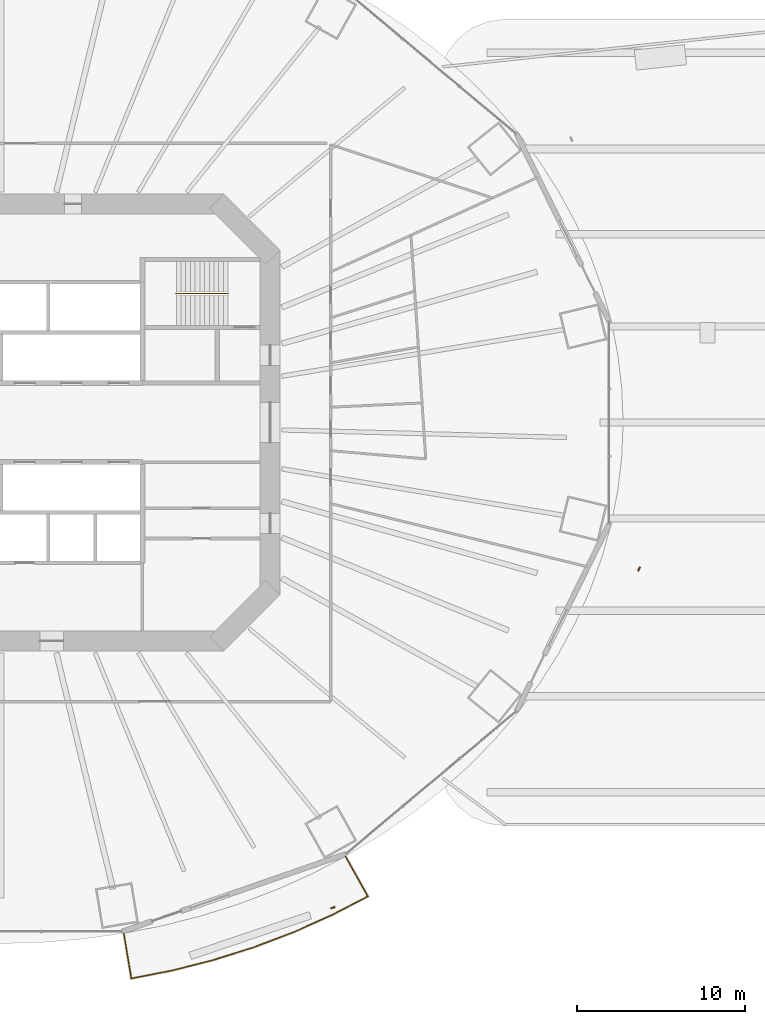
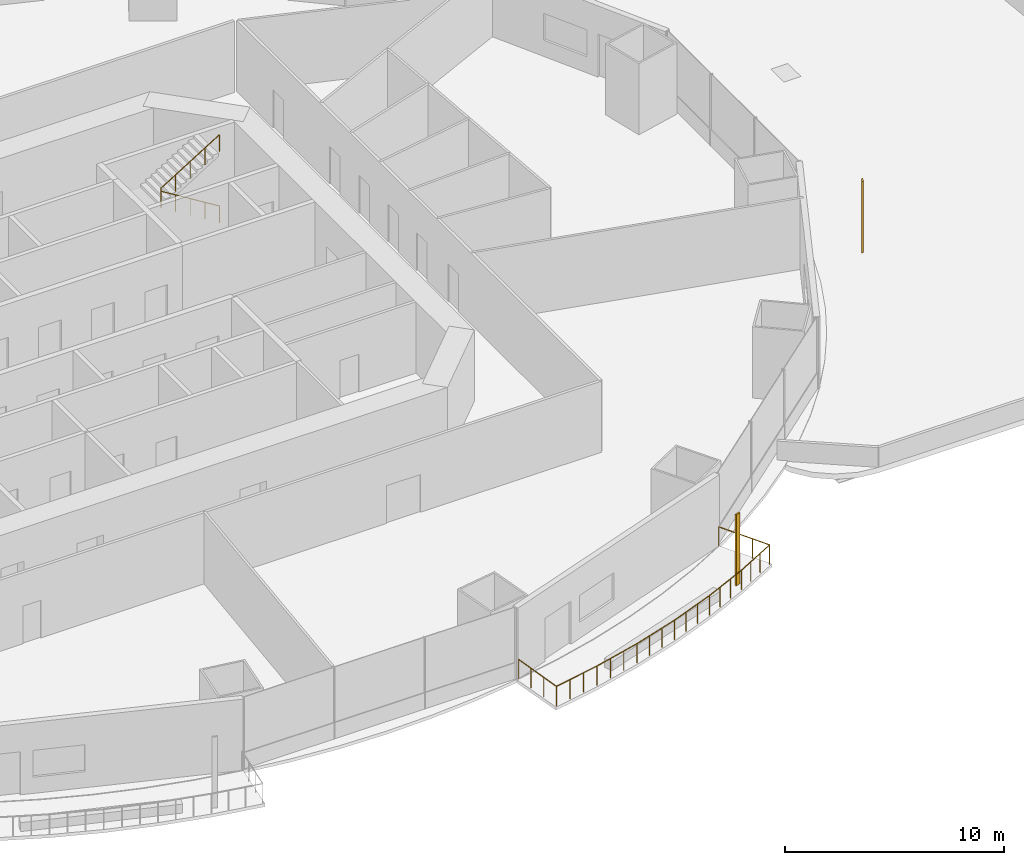
# One storey, part 25 of 27: 2 railings, 2 shading devices.
"""IFC4 building model written with IfcOpenShell, lengths in metres."""

from ifc_helpers import new_model, si_unit, direction, frame, origin, origin_2d, place, context, subcontext, project, spatial, rectangle, circle, extrude, material, material_profile, profile_set, type_object, element, save


model = new_model("IFC4")

# Units and contexts
model_context = context("Model", 3, precision=1e-05, world=origin(), true_north=direction((0.0, 1.0)))
body_context = subcontext(model_context, "Body", "Model", "MODEL_VIEW")
ifc_project = project(units=[si_unit("LENGTHUNIT", "METRE"), si_unit("AREAUNIT", "SQUARE_METRE"), si_unit("VOLUMEUNIT", "CUBIC_METRE"), si_unit("PLANEANGLEUNIT", "RADIAN"), si_unit("MASSUNIT", "GRAM", prefix="KILO")], contexts=[model_context])

# Site, building, storey
site_placement = place(None, origin())
site = spatial("IfcSite", under=ifc_project, at=site_placement, CompositionType="ELEMENT")
building_placement = place(site_placement, origin())
building = spatial("IfcBuilding", under=site, at=building_placement, Name="Marenthal Gate Tower", CompositionType="ELEMENT")
storey_placement = place(building_placement, frame((0.0, 0.0, 33.0)))
storey = spatial("IfcBuildingStorey", under=building, at=storey_placement, Name="L04", CompositionType="ELEMENT", Elevation=33.0)

# Railings
ifc_material_1 = material(Name="Stainless steel", Category="steel")
railing_type_1 = type_object("IfcRailingType", Name="Balcony guard 1100", PredefinedType="GUARDRAIL", material=ifc_material_1)
railing_1_placement = place(storey_placement, frame((20.486328125, -25.814697265625, 0.0)))
element("IfcRailing", 1, at=railing_1_placement, inside=storey, type_object=railing_type_1, Name="Balcony guard L04 bay 13", PredefinedType="GUARDRAIL", context=body_context, shape_type="SweptSolid", body=[
    extrude(circle(Radius=0.02392578125, at=origin_2d()), frame((0.0, 0.0, 1.076171875), z_axis=(0.488673415611, -0.872342626214, -0.014718538138), x_axis=(0.872437131701, 0.488726356184, 0.0)), (0.0, 0.0, 1.0), 2.72021484375),
    extrude(circle(Radius=0.02392578125, at=origin_2d()), frame((1.329345703125, -2.373046875, 1.0361328125), z_axis=(-0.887343289023, -0.461109409387, 0.0), x_axis=(0.461109409387, -0.887343289023, 0.0)), (0.0, 0.0, 1.0), 2.401123046875),
    extrude(circle(Radius=0.02392578125, at=origin_2d()), frame((-0.80126953125, -3.480224609375, 1.0361328125), z_axis=(-0.912627469977, -0.4087922468, 0.0), x_axis=(0.4087922468, -0.912627469977, 0.0)), (0.0, 0.0, 1.0), 2.499267578125),
    extrude(circle(Radius=0.02392578125, at=origin_2d()), frame((-3.082275390625, -4.501953125, 1.0361328125), z_axis=(-0.934889862007, -0.354937946572, 0.0), x_axis=(0.354937946572, -0.934889862007, 0.0)), (0.0, 0.0, 1.0), 2.51611328125),
    extrude(circle(Radius=0.02392578125, at=origin_2d()), frame((-5.4345703125, -5.39501953125, 1.0361328125), z_axis=(-0.953699220219, -0.300762027778, 0.0), x_axis=(0.300762027778, -0.953699220219, 0.0)), (0.0, 0.0, 1.0), 2.531005859375),
    extrude(circle(Radius=0.02392578125, at=origin_2d()), frame((-7.848388671875, -6.15625, 1.0361328125), z_axis=(-0.969175134663, -0.246372803593, 0.0), x_axis=(0.246372803593, -0.969175134663, 0.0)), (0.0, 0.0, 1.0), 2.543701171875),
    extrude(circle(Radius=0.02392578125, at=origin_2d()), frame((-10.313720703125, -6.782958984375, 1.0361328125), z_axis=(-0.981295113893, -0.192509478854, 0.0), x_axis=(0.192509478854, -0.981295113893, 0.0)), (0.0, 0.0, 1.0), 2.474365234375),
    extrude(circle(Radius=0.02392578125, at=origin_2d()), frame((-12.74169921875, -7.25927734375, 1.0361328125), z_axis=(-0.164512163182, 0.986265227064, 0.014719036968), x_axis=(-0.986372081632, -0.164529986862, 0.0)), (0.0, 0.0, 1.0), 2.72021484375),
    extrude(circle(Radius=0.02099609375, at=origin_2d()), origin(), (0.0, 0.0, 1.0), 1.052001953125),
    extrude(circle(Radius=0.02099609375, at=origin_2d()), frame((0.443115234375, -0.791015625, -0.013427734375)), (0.0, 0.0, 1.0), 1.052001953125),
    extrude(circle(Radius=0.02099609375, at=origin_2d()), frame((0.88623046875, -1.58203125, -0.026611328125)), (0.0, 0.0, 1.0), 1.052001953125),
    extrude(circle(Radius=0.02099609375, at=origin_2d()), frame((1.329345703125, -2.373046875, -0.0400390625)), (0.0, 0.0, 1.0), 1.052001953125),
    extrude(circle(Radius=0.02099609375, at=origin_2d()), frame((0.619140625, -2.7421875, -0.0400390625)), (0.0, 0.0, 1.0), 1.052001953125),
    extrude(circle(Radius=0.02099609375, at=origin_2d()), frame((-0.091064453125, -3.111083984375, -0.0400390625)), (0.0, 0.0, 1.0), 1.052001953125),
    extrude(circle(Radius=0.02099609375, at=origin_2d()), frame((-0.80126953125, -3.480224609375, -0.0400390625)), (0.0, 0.0, 1.0), 1.052001953125),
    extrude(circle(Radius=0.02099609375, at=origin_2d()), frame((-1.5615234375, -3.82080078125, -0.0400390625)), (0.0, 0.0, 1.0), 1.052001953125),
    extrude(circle(Radius=0.02099609375, at=origin_2d()), frame((-2.322021484375, -4.161376953125, -0.0400390625)), (0.0, 0.0, 1.0), 1.052001953125),
    extrude(circle(Radius=0.02099609375, at=origin_2d()), frame((-3.082275390625, -4.501953125, -0.0400390625)), (0.0, 0.0, 1.0), 1.052001953125),
    extrude(circle(Radius=0.02099609375, at=origin_2d()), frame((-3.866455078125, -4.799560546875, -0.0400390625)), (0.0, 0.0, 1.0), 1.052001953125),
    extrude(circle(Radius=0.02099609375, at=origin_2d()), frame((-4.650390625, -5.097412109375, -0.0400390625)), (0.0, 0.0, 1.0), 1.052001953125),
    extrude(circle(Radius=0.02099609375, at=origin_2d()), frame((-5.4345703125, -5.39501953125, -0.0400390625)), (0.0, 0.0, 1.0), 1.052001953125),
    extrude(circle(Radius=0.02099609375, at=origin_2d()), frame((-6.2392578125, -5.648681640625, -0.0400390625)), (0.0, 0.0, 1.0), 1.052001953125),
    extrude(circle(Radius=0.02099609375, at=origin_2d()), frame((-7.043701171875, -5.902587890625, -0.0400390625)), (0.0, 0.0, 1.0), 1.052001953125),
    extrude(circle(Radius=0.02099609375, at=origin_2d()), frame((-7.848388671875, -6.15625, -0.0400390625)), (0.0, 0.0, 1.0), 1.052001953125),
    extrude(circle(Radius=0.02099609375, at=origin_2d()), frame((-8.670166015625, -6.365234375, -0.0400390625)), (0.0, 0.0, 1.0), 1.052001953125),
    extrude(circle(Radius=0.02099609375, at=origin_2d()), frame((-9.491943359375, -6.573974609375, -0.0400390625)), (0.0, 0.0, 1.0), 1.052001953125),
    extrude(circle(Radius=0.02099609375, at=origin_2d()), frame((-10.313720703125, -6.782958984375, -0.0400390625)), (0.0, 0.0, 1.0), 1.052001953125),
    extrude(circle(Radius=0.02099609375, at=origin_2d()), frame((-11.123046875, -6.941650390625, -0.0400390625)), (0.0, 0.0, 1.0), 1.052001953125),
    extrude(circle(Radius=0.02099609375, at=origin_2d()), frame((-11.932373046875, -7.1005859375, -0.0400390625)), (0.0, 0.0, 1.0), 1.052001953125),
    extrude(circle(Radius=0.02099609375, at=origin_2d()), frame((-12.74169921875, -7.25927734375, -0.0400390625)), (0.0, 0.0, 1.0), 1.052001953125),
    extrude(circle(Radius=0.02099609375, at=origin_2d()), frame((-12.890869140625, -6.364990234375, -0.026611328125)), (0.0, 0.0, 1.0), 1.052001953125),
    extrude(circle(Radius=0.02099609375, at=origin_2d()), frame((-13.0400390625, -5.470703125, -0.013427734375)), (0.0, 0.0, 1.0), 1.052001953125),
    extrude(circle(Radius=0.02099609375, at=origin_2d()), frame((-13.189208984375, -4.576416015625, 0.0)), (0.0, 0.0, 1.0), 1.052001953125),
])
ifc_material_2 = material(Name="Stainless steel", Category="steel")
railing_type_2 = type_object("IfcRailingType", Name="Stair handrail", PredefinedType="HANDRAIL", material=ifc_material_2)
railing_2_placement = place(storey_placement, frame((13.5, 7.675048828125, 0.1728515625)))
element("IfcRailing", 2, at=railing_2_placement, inside=storey, type_object=railing_type_2, Name="Handrail ST3", PredefinedType="HANDRAIL", context=body_context, shape_type="SweptSolid", body=[
    extrude(circle(Radius=0.0224609375, at=origin_2d()), frame((0.0, 0.0, 0.927490234375), z_axis=(-0.850835241893, 0.0, 0.525432575268), x_axis=(0.0, -1.0, 0.0)), (0.0, 0.0, 1.0), 3.6201171875),
    extrude(circle(Radius=0.0224609375, at=origin_2d()), frame((-3.080078125, 0.0, 2.82958984375), z_axis=(0.0, 0.0, 1.0), x_axis=(1.0, 0.0, 0.0)), (0.0, 0.0, 1.0), 0.1728515625),
    extrude(circle(Radius=0.0224609375, at=origin_2d()), frame((-3.080078125, 0.0, 3.00244140625), z_axis=(0.850835241893, 0.0, 0.525432575268), x_axis=(0.0, 1.0, 0.0)), (0.0, 0.0, 1.0), 3.6201171875),
    extrude(circle(Radius=0.02001953125, at=origin_2d()), origin(), (0.0, 0.0, 1.0), 0.905029296875),
    extrude(circle(Radius=0.02001953125, at=origin_2d()), frame((-0.77001953125, 0.0, 0.4755859375)), (0.0, 0.0, 1.0), 0.905029296875),
    extrude(circle(Radius=0.02001953125, at=origin_2d()), frame((-1.5400390625, 0.0, 0.951171875)), (0.0, 0.0, 1.0), 0.905029296875),
    extrude(circle(Radius=0.02001953125, at=origin_2d()), frame((-2.31005859375, 0.0, 1.426513671875)), (0.0, 0.0, 1.0), 0.905029296875),
    extrude(circle(Radius=0.02001953125, at=origin_2d()), frame((-3.080078125, 0.0, 1.902099609375)), (0.0, 0.0, 1.0), 0.905029296875),
    extrude(circle(Radius=0.02001953125, at=origin_2d()), frame((-3.080078125, 0.0, 2.074951171875)), (0.0, 0.0, 1.0), 0.905029296875),
    extrude(circle(Radius=0.02001953125, at=origin_2d()), frame((-2.31005859375, 0.0, 2.550537109375)), (0.0, 0.0, 1.0), 0.905029296875),
    extrude(circle(Radius=0.02001953125, at=origin_2d()), frame((-1.5400390625, 0.0, 3.02587890625)), (0.0, 0.0, 1.0), 0.905029296875),
    extrude(circle(Radius=0.02001953125, at=origin_2d()), frame((-0.77001953125, 0.0, 3.50146484375)), (0.0, 0.0, 1.0), 0.905029296875),
    extrude(circle(Radius=0.02001953125, at=origin_2d()), frame((0.0, 0.0, 3.97705078125)), (0.0, 0.0, 1.0), 0.905029296875),
])

# Shading devices
ifc_material_3 = material(Name="Terracotta", Category="masonry")
ifc_material_profile = material_profile(ifc_material_3, rectangle(XDim=0.25, YDim=0.080078125, at=origin_2d()), Name="Terracotta baguette 250x80")
ifc_profile_set = profile_set([ifc_material_profile], Name="Terracotta")
shading_device_type = type_object("IfcShadingDeviceType", Name="Terracotta BAGUETTE SCREEN 250x80", PredefinedType="USERDEFINED", material=ifc_profile_set)
for number, where, z_axis, x_axis, name in (
    (3, (19.730712890625, -28.861572265625, -0.0400390625), (0.0, 0.0, 1.0), (0.944708230663, 0.327912120725, 0.0), "Terracotta BAGUETTE L04 bay 13R"),
    (4, (37.94921875, -8.7177734375, -0.0400390625), (0.0, 0.0, 1.0), (0.443119622411, 0.896462492374, 0.0), "Terracotta BAGUETTE L04 bay 15R"),
):
    element("IfcShadingDevice", number, at=place(storey_placement, frame(where, z_axis=z_axis, x_axis=x_axis)), inside=storey, type_object=shading_device_type, Name=name, ObjectType="BAGUETTE SCREEN", PredefinedType="USERDEFINED", context=body_context, shape_type="SweptSolid", body=[
        extrude(rectangle(XDim=0.25, YDim=0.080078125, at=origin_2d()), origin(), (0.0, 0.0, 1.0), 3.969970703125),
    ])

save(model, "model.ifc")
